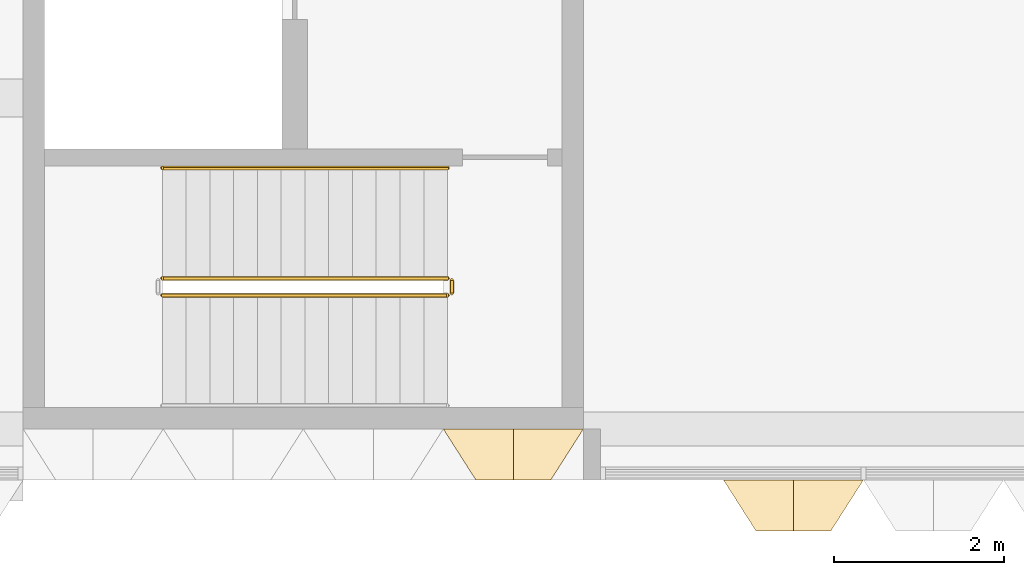
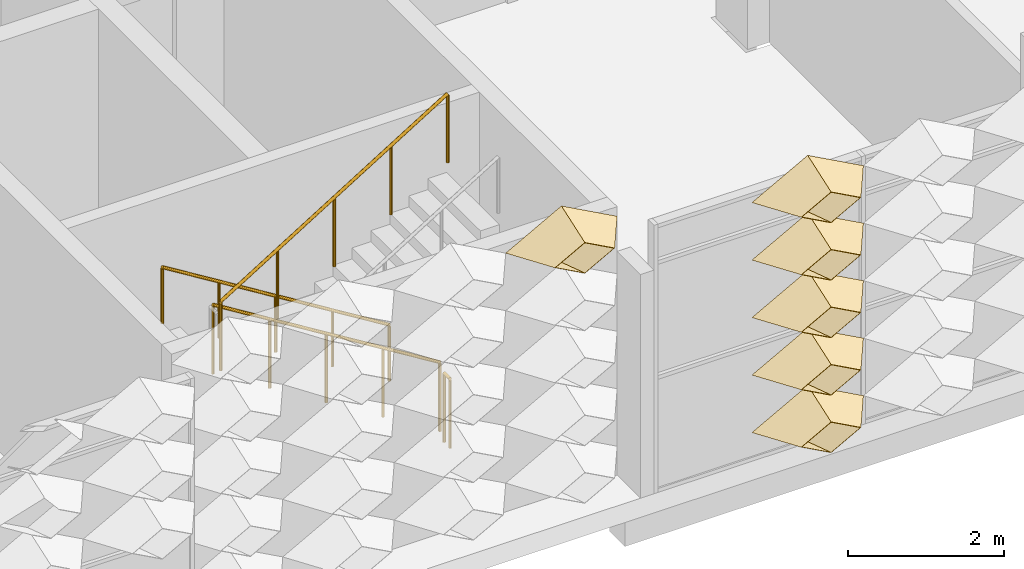
# One storey, part 47 of 85: 6 coverings, 4 railings.
"""IFC4 building model written with IfcOpenShell, lengths in metres."""

from ifc_helpers import new_model, entity, si_unit, direction, frame, origin, origin_2d, place, context, subcontext, project, spatial, circle, extrude, material, layer, layer_set, type_object, element, save


model = new_model("IFC4")

# Units and contexts
model_context = context("Model", 3, precision=1e-05, world=origin(), true_north=direction((0.0, 1.0)))
body_context = subcontext(model_context, "Body", "Model", "MODEL_VIEW")
ifc_project = project(units=[si_unit("LENGTHUNIT", "METRE"), si_unit("AREAUNIT", "SQUARE_METRE"), si_unit("VOLUMEUNIT", "CUBIC_METRE"), si_unit("PLANEANGLEUNIT", "RADIAN"), si_unit("MASSUNIT", "GRAM", prefix="KILO")], contexts=[model_context])

# Site, building, storey
site_placement = place(None, origin())
site = spatial("IfcSite", under=ifc_project, at=site_placement, CompositionType="ELEMENT")
building_placement = place(site_placement, origin())
building = spatial("IfcBuilding", under=site, at=building_placement, Name="Lantern Court Research Institute", CompositionType="ELEMENT")
storey_placement = place(building_placement, frame((0.0, 0.0, 18.89990234375)))
storey = spatial("IfcBuildingStorey", under=building, at=storey_placement, Name="L04", CompositionType="ELEMENT", Elevation=18.89990234375)

# Coverings
ifc_material_1 = material(Name="Anodised aluminium", Category="aluminium")
ifc_layer = layer(ifc_material_1, 0.01611328125)
ifc_layer_set = layer_set([ifc_layer], Name="Anodised aluminium")
covering_type = type_object("IfcCoveringType", Name="Fin cassette 1650 x 900 x 600 aluminium", PredefinedType="CLADDING", material=ifc_layer_set)
covering_1_placement = place(storey_placement, frame((58.574951171875, -7.800048828125, 4.050048828125), z_axis=(0.0, -1.0, 0.0), x_axis=(1.0, 0.0, 0.0)))
cartesian_point_1 = entity("IfcCartesianPoint", [0.824951171875, 0.0])
cartesian_point_2 = entity("IfcCartesianPoint", [0.79150390625, 0.0])
cartesian_point_3 = entity("IfcCartesianPoint", [0.44189453125, 0.0])
cartesian_point_4 = entity("IfcCartesianPoint", [0.43359375, 0.0])
element("IfcCovering", 1, at=covering_1_placement, inside=storey, type_object=covering_type, Name="Fin cassette V5S-L04 5.36", PredefinedType="CLADDING", context=body_context, shape_type="SweptSolid", body=[
    entity("IfcExtrudedAreaSolidTapered", entity("IfcArbitraryProfileDefWithVoids", "AREA", None, entity("IfcPolyline", [cartesian_point_1, entity("IfcCartesianPoint", [0.0, 0.449951171875]), entity("IfcCartesianPoint", [-0.824951171875, 0.0]), entity("IfcCartesianPoint", [0.0, -0.449951171875]), cartesian_point_1]), [entity("IfcPolyline", [cartesian_point_2, entity("IfcCartesianPoint", [0.0, 0.431884765625]), entity("IfcCartesianPoint", [-0.79150390625, 0.0]), entity("IfcCartesianPoint", [0.0, -0.431884765625]), cartesian_point_2])]), entity("IfcAxis2Placement3D", entity("IfcCartesianPoint", [0.0, 0.0, 0.0])), entity("IfcDirection", [0.0, 0.0, 1.0]), 0.60009765625, entity("IfcArbitraryProfileDefWithVoids", "AREA", None, entity("IfcPolyline", [cartesian_point_3, entity("IfcCartesianPoint", [0.0, 0.240966796875]), entity("IfcCartesianPoint", [-0.44189453125, 0.0]), entity("IfcCartesianPoint", [0.0, -0.240966796875]), cartesian_point_3]), [entity("IfcPolyline", [cartesian_point_4, entity("IfcCartesianPoint", [0.0, 0.236572265625]), entity("IfcCartesianPoint", [-0.43359375, 0.0]), entity("IfcCartesianPoint", [0.0, -0.236572265625]), cartesian_point_4])])),
])
covering_2_placement = place(storey_placement, frame((61.875, -8.39990234375, 0.4501953125), z_axis=(0.0, -1.0, 0.0), x_axis=(1.0, 0.0, 0.0)))
cartesian_point_5 = entity("IfcCartesianPoint", [0.824951171875, 0.0])
cartesian_point_6 = entity("IfcCartesianPoint", [0.79150390625, 0.0])
cartesian_point_7 = entity("IfcCartesianPoint", [0.44189453125, 0.0])
cartesian_point_8 = entity("IfcCartesianPoint", [0.43359375, 0.0])
element("IfcCovering", 2, at=covering_2_placement, inside=storey, type_object=covering_type, Name="Fin cassette V5S-L04 1.38", PredefinedType="CLADDING", context=body_context, shape_type="SweptSolid", body=[
    entity("IfcExtrudedAreaSolidTapered", entity("IfcArbitraryProfileDefWithVoids", "AREA", None, entity("IfcPolyline", [cartesian_point_5, entity("IfcCartesianPoint", [0.0, 0.449951171875]), entity("IfcCartesianPoint", [-0.824951171875, 0.0]), entity("IfcCartesianPoint", [0.0, -0.449951171875]), cartesian_point_5]), [entity("IfcPolyline", [cartesian_point_6, entity("IfcCartesianPoint", [0.0, 0.431884765625]), entity("IfcCartesianPoint", [-0.79150390625, 0.0]), entity("IfcCartesianPoint", [0.0, -0.431884765625]), cartesian_point_6])]), entity("IfcAxis2Placement3D", entity("IfcCartesianPoint", [0.0, 0.0, 0.0])), entity("IfcDirection", [0.0, 0.0, 1.0]), 0.60009765625, entity("IfcArbitraryProfileDefWithVoids", "AREA", None, entity("IfcPolyline", [cartesian_point_7, entity("IfcCartesianPoint", [0.0, 0.240966796875]), entity("IfcCartesianPoint", [-0.44189453125, 0.0]), entity("IfcCartesianPoint", [0.0, -0.240966796875]), cartesian_point_7]), [entity("IfcPolyline", [cartesian_point_8, entity("IfcCartesianPoint", [0.0, 0.236572265625]), entity("IfcCartesianPoint", [-0.43359375, 0.0]), entity("IfcCartesianPoint", [0.0, -0.236572265625]), cartesian_point_8])])),
])
covering_3_placement = place(storey_placement, frame((61.875, -8.39990234375, 1.35009765625), z_axis=(0.0, -1.0, 0.0), x_axis=(1.0, 0.0, 0.0)))
cartesian_point_9 = entity("IfcCartesianPoint", [0.824951171875, 0.0])
cartesian_point_10 = entity("IfcCartesianPoint", [0.79150390625, 0.0])
cartesian_point_11 = entity("IfcCartesianPoint", [0.44189453125, 0.0])
cartesian_point_12 = entity("IfcCartesianPoint", [0.43359375, 0.0])
element("IfcCovering", 3, at=covering_3_placement, inside=storey, type_object=covering_type, Name="Fin cassette V5S-L04 2.38", PredefinedType="CLADDING", context=body_context, shape_type="SweptSolid", body=[
    entity("IfcExtrudedAreaSolidTapered", entity("IfcArbitraryProfileDefWithVoids", "AREA", None, entity("IfcPolyline", [cartesian_point_9, entity("IfcCartesianPoint", [0.0, 0.449951171875]), entity("IfcCartesianPoint", [-0.824951171875, 0.0]), entity("IfcCartesianPoint", [0.0, -0.449951171875]), cartesian_point_9]), [entity("IfcPolyline", [cartesian_point_10, entity("IfcCartesianPoint", [0.0, 0.431884765625]), entity("IfcCartesianPoint", [-0.79150390625, 0.0]), entity("IfcCartesianPoint", [0.0, -0.431884765625]), cartesian_point_10])]), entity("IfcAxis2Placement3D", entity("IfcCartesianPoint", [0.0, 0.0, 0.0])), entity("IfcDirection", [0.0, 0.0, 1.0]), 0.60009765625, entity("IfcArbitraryProfileDefWithVoids", "AREA", None, entity("IfcPolyline", [cartesian_point_11, entity("IfcCartesianPoint", [0.0, 0.240966796875]), entity("IfcCartesianPoint", [-0.44189453125, 0.0]), entity("IfcCartesianPoint", [0.0, -0.240966796875]), cartesian_point_11]), [entity("IfcPolyline", [cartesian_point_12, entity("IfcCartesianPoint", [0.0, 0.236572265625]), entity("IfcCartesianPoint", [-0.43359375, 0.0]), entity("IfcCartesianPoint", [0.0, -0.236572265625]), cartesian_point_12])])),
])
covering_4_placement = place(storey_placement, frame((61.875, -8.39990234375, 2.25), z_axis=(0.0, -1.0, 0.0), x_axis=(1.0, 0.0, 0.0)))
cartesian_point_13 = entity("IfcCartesianPoint", [0.824951171875, 0.0])
cartesian_point_14 = entity("IfcCartesianPoint", [0.79150390625, 0.0])
cartesian_point_15 = entity("IfcCartesianPoint", [0.44189453125, 0.0])
cartesian_point_16 = entity("IfcCartesianPoint", [0.43359375, 0.0])
element("IfcCovering", 4, at=covering_4_placement, inside=storey, type_object=covering_type, Name="Fin cassette V5S-L04 3.38", PredefinedType="CLADDING", context=body_context, shape_type="SweptSolid", body=[
    entity("IfcExtrudedAreaSolidTapered", entity("IfcArbitraryProfileDefWithVoids", "AREA", None, entity("IfcPolyline", [cartesian_point_13, entity("IfcCartesianPoint", [0.0, 0.449951171875]), entity("IfcCartesianPoint", [-0.824951171875, 0.0]), entity("IfcCartesianPoint", [0.0, -0.449951171875]), cartesian_point_13]), [entity("IfcPolyline", [cartesian_point_14, entity("IfcCartesianPoint", [0.0, 0.431884765625]), entity("IfcCartesianPoint", [-0.79150390625, 0.0]), entity("IfcCartesianPoint", [0.0, -0.431884765625]), cartesian_point_14])]), entity("IfcAxis2Placement3D", entity("IfcCartesianPoint", [0.0, 0.0, 0.0])), entity("IfcDirection", [0.0, 0.0, 1.0]), 0.60009765625, entity("IfcArbitraryProfileDefWithVoids", "AREA", None, entity("IfcPolyline", [cartesian_point_15, entity("IfcCartesianPoint", [0.0, 0.240966796875]), entity("IfcCartesianPoint", [-0.44189453125, 0.0]), entity("IfcCartesianPoint", [0.0, -0.240966796875]), cartesian_point_15]), [entity("IfcPolyline", [cartesian_point_16, entity("IfcCartesianPoint", [0.0, 0.236572265625]), entity("IfcCartesianPoint", [-0.43359375, 0.0]), entity("IfcCartesianPoint", [0.0, -0.236572265625]), cartesian_point_16])])),
])
covering_5_placement = place(storey_placement, frame((61.875, -8.39990234375, 3.150146484375), z_axis=(0.0, -1.0, 0.0), x_axis=(1.0, 0.0, 0.0)))
cartesian_point_17 = entity("IfcCartesianPoint", [0.824951171875, 0.0])
cartesian_point_18 = entity("IfcCartesianPoint", [0.79150390625, 0.0])
cartesian_point_19 = entity("IfcCartesianPoint", [0.44189453125, 0.0])
cartesian_point_20 = entity("IfcCartesianPoint", [0.43359375, 0.0])
element("IfcCovering", 5, at=covering_5_placement, inside=storey, type_object=covering_type, Name="Fin cassette V5S-L04 4.38", PredefinedType="CLADDING", context=body_context, shape_type="SweptSolid", body=[
    entity("IfcExtrudedAreaSolidTapered", entity("IfcArbitraryProfileDefWithVoids", "AREA", None, entity("IfcPolyline", [cartesian_point_17, entity("IfcCartesianPoint", [0.0, 0.449951171875]), entity("IfcCartesianPoint", [-0.824951171875, 0.0]), entity("IfcCartesianPoint", [0.0, -0.449951171875]), cartesian_point_17]), [entity("IfcPolyline", [cartesian_point_18, entity("IfcCartesianPoint", [0.0, 0.431884765625]), entity("IfcCartesianPoint", [-0.79150390625, 0.0]), entity("IfcCartesianPoint", [0.0, -0.431884765625]), cartesian_point_18])]), entity("IfcAxis2Placement3D", entity("IfcCartesianPoint", [0.0, 0.0, 0.0])), entity("IfcDirection", [0.0, 0.0, 1.0]), 0.60009765625, entity("IfcArbitraryProfileDefWithVoids", "AREA", None, entity("IfcPolyline", [cartesian_point_19, entity("IfcCartesianPoint", [0.0, 0.240966796875]), entity("IfcCartesianPoint", [-0.44189453125, 0.0]), entity("IfcCartesianPoint", [0.0, -0.240966796875]), cartesian_point_19]), [entity("IfcPolyline", [cartesian_point_20, entity("IfcCartesianPoint", [0.0, 0.236572265625]), entity("IfcCartesianPoint", [-0.43359375, 0.0]), entity("IfcCartesianPoint", [0.0, -0.236572265625]), cartesian_point_20])])),
])
covering_6_placement = place(storey_placement, frame((61.875, -8.39990234375, 4.050048828125), z_axis=(0.0, -1.0, 0.0), x_axis=(1.0, 0.0, 0.0)))
cartesian_point_21 = entity("IfcCartesianPoint", [0.824951171875, 0.0])
cartesian_point_22 = entity("IfcCartesianPoint", [0.79150390625, 0.0])
cartesian_point_23 = entity("IfcCartesianPoint", [0.44189453125, 0.0])
cartesian_point_24 = entity("IfcCartesianPoint", [0.43359375, 0.0])
element("IfcCovering", 6, at=covering_6_placement, inside=storey, type_object=covering_type, Name="Fin cassette V5S-L04 5.38", PredefinedType="CLADDING", context=body_context, shape_type="SweptSolid", body=[
    entity("IfcExtrudedAreaSolidTapered", entity("IfcArbitraryProfileDefWithVoids", "AREA", None, entity("IfcPolyline", [cartesian_point_21, entity("IfcCartesianPoint", [0.0, 0.449951171875]), entity("IfcCartesianPoint", [-0.824951171875, 0.0]), entity("IfcCartesianPoint", [0.0, -0.449951171875]), cartesian_point_21]), [entity("IfcPolyline", [cartesian_point_22, entity("IfcCartesianPoint", [0.0, 0.431884765625]), entity("IfcCartesianPoint", [-0.79150390625, 0.0]), entity("IfcCartesianPoint", [0.0, -0.431884765625]), cartesian_point_22])]), entity("IfcAxis2Placement3D", entity("IfcCartesianPoint", [0.0, 0.0, 0.0])), entity("IfcDirection", [0.0, 0.0, 1.0]), 0.60009765625, entity("IfcArbitraryProfileDefWithVoids", "AREA", None, entity("IfcPolyline", [cartesian_point_23, entity("IfcCartesianPoint", [0.0, 0.240966796875]), entity("IfcCartesianPoint", [-0.44189453125, 0.0]), entity("IfcCartesianPoint", [0.0, -0.240966796875]), cartesian_point_23]), [entity("IfcPolyline", [cartesian_point_24, entity("IfcCartesianPoint", [0.0, 0.236572265625]), entity("IfcCartesianPoint", [-0.43359375, 0.0]), entity("IfcCartesianPoint", [0.0, -0.236572265625]), cartesian_point_24])])),
])

# Railings
ifc_material_2 = material(Name="Structural steel S355", Category="steel")
railing_type_1 = type_object("IfcRailingType", Name="Stair guard 1100 steel", PredefinedType="GUARDRAIL", material=ifc_material_2)
railing_1_placement = place(storey_placement, frame((57.800048828125, -6.02490234375, 0.173095703125)))
element("IfcRailing", 7, at=railing_1_placement, inside=storey, type_object=railing_type_1, Name="L04 ST-T1 stair guard 1", PredefinedType="GUARDRAIL", context=body_context, shape_type="SweptSolid", body=[
    extrude(circle(Radius=0.02392578125, at=origin_2d()), frame((0.0, 0.0, 1.076171875), z_axis=(-0.850623216509, 0.0, 0.525775754039), x_axis=(0.0, -1.0, 0.0)), (0.0, 0.0, 1.0), 3.9501953125),
    extrude(circle(Radius=0.02099609375, at=origin_2d()), origin(), (0.0, 0.0, 1.0), 1.052001953125),
    extrude(circle(Radius=0.02099609375, at=origin_2d()), frame((-0.840087890625, 0.0, 0.519287109375)), (0.0, 0.0, 1.0), 1.052001953125),
    extrude(circle(Radius=0.02099609375, at=origin_2d()), frame((-1.68017578125, 0.0, 1.03857421875)), (0.0, 0.0, 1.0), 1.052001953125),
    extrude(circle(Radius=0.02099609375, at=origin_2d()), frame((-2.52001953125, 0.0, 1.5576171875)), (0.0, 0.0, 1.0), 1.052001953125),
    extrude(circle(Radius=0.02099609375, at=origin_2d()), frame((-3.360107421875, 0.0, 2.076904296875)), (0.0, 0.0, 1.0), 1.052001953125),
])
railing_2_placement = place(storey_placement, frame((54.43994140625, -6.22509765625, 2.423095703125)))
element("IfcRailing", 8, at=railing_2_placement, inside=storey, type_object=railing_type_1, Name="L04 ST-T1 stair guard 3", PredefinedType="GUARDRAIL", context=body_context, shape_type="SweptSolid", body=[
    extrude(circle(Radius=0.02392578125, at=origin_2d()), frame((0.0, 0.0, 1.076171875), z_axis=(0.850623216509, 0.0, 0.525775754039), x_axis=(0.0, 1.0, 0.0)), (0.0, 0.0, 1.0), 3.9501953125),
    extrude(circle(Radius=0.02099609375, at=origin_2d()), origin(), (0.0, 0.0, 1.0), 1.052001953125),
    extrude(circle(Radius=0.02099609375, at=origin_2d()), frame((0.840087890625, 0.0, 0.519287109375)), (0.0, 0.0, 1.0), 1.052001953125),
    extrude(circle(Radius=0.02099609375, at=origin_2d()), frame((1.68017578125, 0.0, 1.03857421875)), (0.0, 0.0, 1.0), 1.052001953125),
    extrude(circle(Radius=0.02099609375, at=origin_2d()), frame((2.52001953125, 0.0, 1.5576171875)), (0.0, 0.0, 1.0), 1.052001953125),
    extrude(circle(Radius=0.02099609375, at=origin_2d()), frame((3.360107421875, 0.0, 2.076904296875)), (0.0, 0.0, 1.0), 1.052001953125),
])
railing_3_placement = place(storey_placement, frame((57.85009765625, -6.050048828125, 0.0)))
element("IfcRailing", 9, at=railing_3_placement, inside=storey, type_object=railing_type_1, Name="L04 ST-T1 stair guard 4", PredefinedType="GUARDRAIL", context=body_context, shape_type="SweptSolid", body=[
    extrude(circle(Radius=0.02392578125, at=origin_2d()), frame((0.0, 0.0, 1.076171875), z_axis=(0.0, -1.0, 0.0), x_axis=(1.0, 0.0, 0.0)), (0.0, 0.0, 1.0), 0.14990234375),
    extrude(circle(Radius=0.02099609375, at=origin_2d()), origin(), (0.0, 0.0, 1.0), 1.052001953125),
    extrude(circle(Radius=0.02099609375, at=origin_2d()), frame((0.0, -0.14990234375, 0.0)), (0.0, 0.0, 1.0), 1.052001953125),
])
ifc_material_3 = material(Name="Stainless steel 316", Category="steel")
railing_type_2 = type_object("IfcRailingType", Name="Stair handrail 900 steel", PredefinedType="HANDRAIL", material=ifc_material_3)
railing_4_placement = place(storey_placement, frame((57.800048828125, -4.72509765625, 0.173095703125)))
element("IfcRailing", 10, at=railing_4_placement, inside=storey, type_object=railing_type_2, Name="L04 ST-T1 stair handrail 1", PredefinedType="HANDRAIL", context=body_context, shape_type="SweptSolid", body=[
    extrude(circle(Radius=0.02392578125, at=origin_2d()), frame((0.0, 0.0, 0.8759765625), z_axis=(-0.850623216509, 0.0, 0.525775754039), x_axis=(0.0, -1.0, 0.0)), (0.0, 0.0, 1.0), 3.9501953125),
    extrude(circle(Radius=0.02099609375, at=origin_2d()), origin(), (0.0, 0.0, 1.0), 0.851806640625),
    extrude(circle(Radius=0.02099609375, at=origin_2d()), frame((-0.840087890625, 0.0, 0.519287109375)), (0.0, 0.0, 1.0), 0.851806640625),
    extrude(circle(Radius=0.02099609375, at=origin_2d()), frame((-1.68017578125, 0.0, 1.03857421875)), (0.0, 0.0, 1.0), 0.851806640625),
    extrude(circle(Radius=0.02099609375, at=origin_2d()), frame((-2.52001953125, 0.0, 1.5576171875)), (0.0, 0.0, 1.0), 0.851806640625),
    extrude(circle(Radius=0.02099609375, at=origin_2d()), frame((-3.360107421875, 0.0, 2.076904296875)), (0.0, 0.0, 1.0), 0.851806640625),
])

save(model, "model.ifc")
